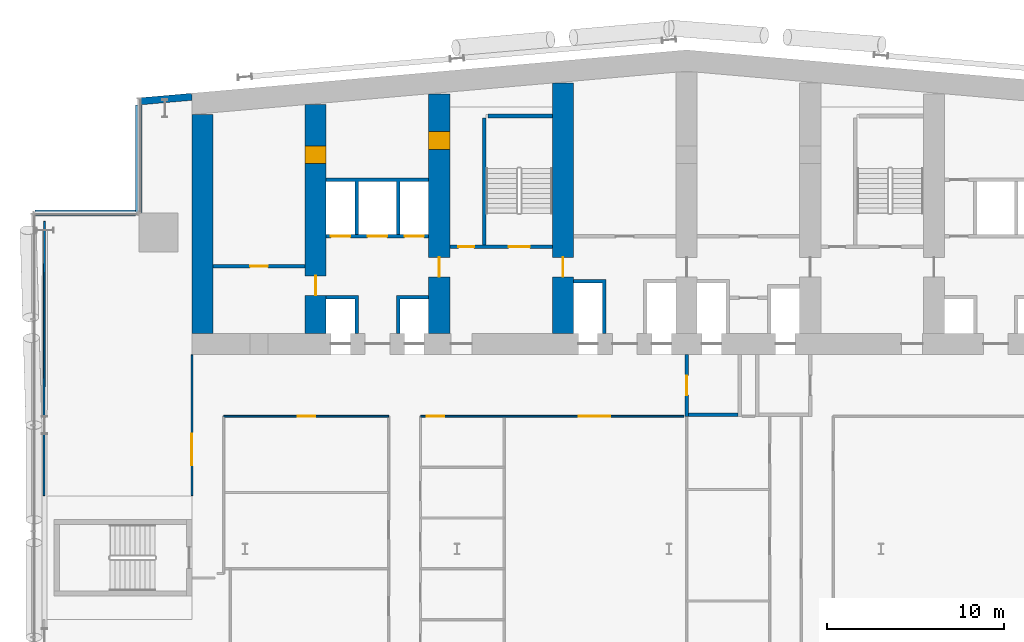
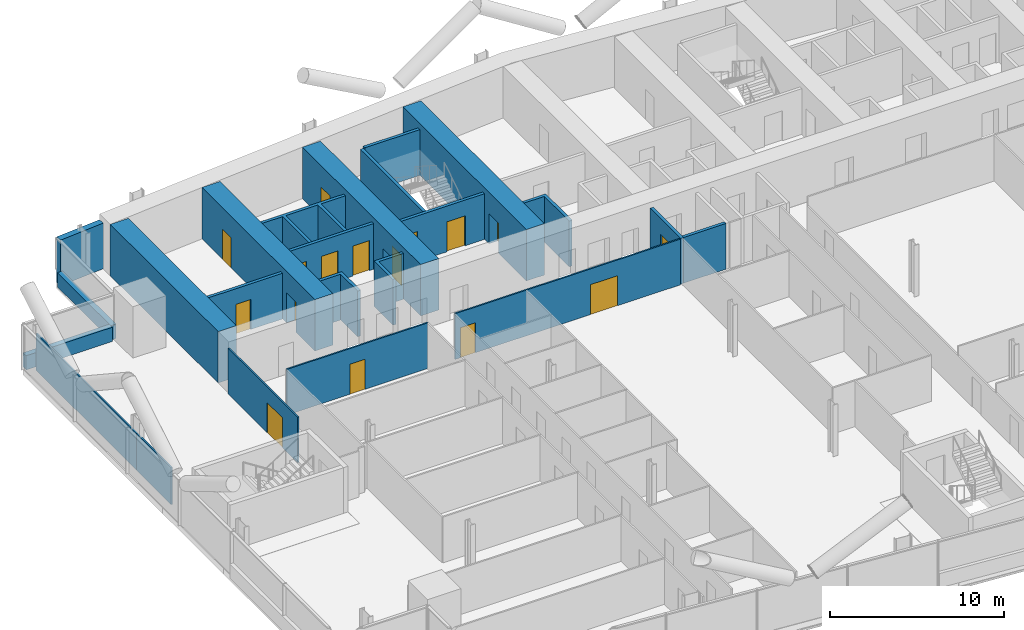
# One storey, part 15 of 27: 23 walls, 16 doors, 16 openings.
"""IFC4 building model written with IfcOpenShell, lengths in metres."""

from ifc_helpers import new_model, si_unit, direction, frame, frame_2d, origin, place, context, subcontext, project, spatial, polyline, rectangle, outline, extrude, material, layer, layer_set, type_object, element, fill, save


model = new_model("IFC4")

# Units and contexts
model_context = context("Model", 3, precision=1e-05, world=origin(), true_north=direction((0.0, 1.0)))
body_context = subcontext(model_context, "Body", "Model", "MODEL_VIEW")
ifc_project = project(units=[si_unit("LENGTHUNIT", "METRE"), si_unit("AREAUNIT", "SQUARE_METRE"), si_unit("VOLUMEUNIT", "CUBIC_METRE"), si_unit("PLANEANGLEUNIT", "RADIAN"), si_unit("MASSUNIT", "GRAM", prefix="KILO")], contexts=[model_context])

# Site, building, storey
site_placement = place(None, origin())
site = spatial("IfcSite", under=ifc_project, at=site_placement, CompositionType="ELEMENT")
building_placement = place(site_placement, origin())
building = spatial("IfcBuilding", under=site, at=building_placement, Name="Wharfspan Tower", CompositionType="ELEMENT")
storey_placement = place(building_placement, frame((0.0, 0.0, 77.5)))
storey = spatial("IfcBuildingStorey", under=building, at=storey_placement, Name="L16", CompositionType="ELEMENT", Elevation=77.5)

# Wall, opening, door
ifc_material_1 = material(Name="Gypsum board on steel studs", Category="steel")
ifc_layer_1 = layer(ifc_material_1, 0.100098)
ifc_layer_set_1 = layer_set([ifc_layer_1], Name="Gypsum board on steel studs")
wall_type_1 = type_object("IfcWallType", Name="Compartment wall 100 EI 60", PredefinedType="PARTITIONING", material=ifc_layer_set_1)
wall_1_placement = place(storey_placement, frame((9.0, 26.02002, 0.0), z_axis=(0.0, 0.0, 1.0), x_axis=(0.0, 1.0, 0.0)))
wall_1 = element("IfcWall", 1, at=wall_1_placement, inside=storey, type_object=wall_type_1, Name="Partition L16.w006", PredefinedType="PARTITIONING", context=body_context, shape_type="SweptSolid", body=[
    extrude(rectangle(XDim=7.959961, YDim=0.100098, at=frame_2d((3.97998, 0.0))), origin(), (0.0, 0.0, 1.0), 3.199951),
])
opening_1_placement = place(wall_1_placement, frame((1.699951, 0.0, 0.0)))
opening_1 = element("IfcOpeningElement", 2, at=opening_1_placement, cuts=wall_1, Name="Opening A4-28", PredefinedType="OPENING", context=body_context, shape_type="SweptSolid", body=[
    extrude(rectangle(XDim=1.800049, YDim=2.100098, at=frame_2d((0.899902, 1.050049))), frame((0.0, 0.060059, 0.0), z_axis=(0.0, -1.0, 0.0), x_axis=(1.0, 0.0, 0.0)), (0.0, 0.0, 1.0), 0.120117),
])
ifc_material_2 = material(Name="Fire-rated timber door leaf in steel frame", Category="steel")
door_type_1 = type_object("IfcDoorType", Name="Door 1800 FD30S Double", OperationType="DOUBLE_DOOR_SINGLE_SWING", PredefinedType="DOOR", material=ifc_material_2)
door_1_placement = place(opening_1_placement, origin())
door_1 = element("IfcDoor", 3, at=door_1_placement, inside=storey, type_object=door_type_1, Name="Door A4-28", OperationType="DOUBLE_DOOR_SINGLE_SWING", OverallHeight=2.100098, OverallWidth=1.800049, PredefinedType="DOOR", context=body_context, shape_type="SweptSolid", body=[
    extrude(rectangle(XDim=1.800049, YDim=2.100098, at=frame_2d((0.899902, 1.050049))), frame((0.0, 0.024902, 0.0), z_axis=(0.0, -1.0, 0.0), x_axis=(1.0, 0.0, 0.0)), (0.0, 0.0, 1.0), 0.050049),
])
fill(opening_1, door_1)

wall_2_placement = place(storey_placement, frame((10.800049, 30.5, 0.0), z_axis=(0.0, 0.0, 1.0), x_axis=(1.0, 0.0, 0.0)))
wall_2 = element("IfcWall", 4, at=wall_2_placement, inside=storey, type_object=wall_type_1, Name="Partition L16.w012", PredefinedType="PARTITIONING", context=body_context, shape_type="SweptSolid", body=[
    extrude(rectangle(XDim=9.339844, YDim=0.100098, at=frame_2d((4.669922, 0.0))), origin(), (0.0, 0.0, 1.0), 3.199951),
])
opening_2_placement = place(wall_2_placement, frame((4.185059, 0.0, 0.0)))
opening_2 = element("IfcOpeningElement", 5, at=opening_2_placement, cuts=wall_2, Name="Opening A4-30", PredefinedType="OPENING", context=body_context, shape_type="SweptSolid", body=[
    extrude(rectangle(XDim=1.0, YDim=2.100098, at=frame_2d((0.5, 1.050049))), frame((0.0, 0.060059, 0.0), z_axis=(0.0, -1.0, 0.0), x_axis=(1.0, 0.0, 0.0)), (0.0, 0.0, 1.0), 0.120117),
])
door_type_2 = type_object("IfcDoorType", Name="Door 1000 FD30S Right", OperationType="SINGLE_SWING_RIGHT", PredefinedType="DOOR", material=ifc_material_2)
door_2_placement = place(opening_2_placement, origin())
door_2 = element("IfcDoor", 6, at=door_2_placement, inside=storey, type_object=door_type_2, Name="Door A4-30", OperationType="SINGLE_SWING_RIGHT", OverallHeight=2.100098, OverallWidth=1.0, PredefinedType="DOOR", context=body_context, shape_type="SweptSolid", body=[
    extrude(rectangle(XDim=1.0, YDim=2.100098, at=frame_2d((0.5, 1.050049))), frame((0.0, 0.024902, 0.0), z_axis=(0.0, -1.0, 0.0), x_axis=(1.0, 0.0, 0.0)), (0.0, 0.0, 1.0), 0.050049),
])
fill(opening_2, door_2)

# Wall, openings, doors
wall_3_placement = place(storey_placement, frame((21.939941, 30.5, 0.0), z_axis=(0.0, 0.0, 1.0), x_axis=(1.0, 0.0, 0.0)))
wall_3 = element("IfcWall", 7, at=wall_3_placement, inside=storey, type_object=wall_type_1, Name="Partition L16.w026", PredefinedType="PARTITIONING", context=body_context, shape_type="SweptSolid", body=[
    extrude(rectangle(XDim=14.910156, YDim=0.100098, at=frame_2d((7.455078, 0.0))), origin(), (0.0, 0.0, 1.0), 3.199951),
])
opening_3_placement = place(wall_3_placement, frame((0.344971, 0.0, 0.0)))
opening_3 = element("IfcOpeningElement", 8, at=opening_3_placement, cuts=wall_3, Name="Opening A4-31", PredefinedType="OPENING", context=body_context, shape_type="SweptSolid", body=[
    extrude(rectangle(XDim=1.0, YDim=2.100098, at=frame_2d((0.5, 1.050049))), frame((0.0, 0.060059, 0.0), z_axis=(0.0, -1.0, 0.0), x_axis=(1.0, 0.0, 0.0)), (0.0, 0.0, 1.0), 0.120117),
])
opening_4_placement = place(wall_3_placement, frame((8.949951, 0.0, 0.0)))
opening_4 = element("IfcOpeningElement", 9, at=opening_4_placement, cuts=wall_3, Name="Opening A4-32", PredefinedType="OPENING", context=body_context, shape_type="SweptSolid", body=[
    extrude(rectangle(XDim=1.800049, YDim=2.100098, at=frame_2d((0.899902, 1.050049))), frame((0.0, 0.060059, 0.0), z_axis=(0.0, -1.0, 0.0), x_axis=(1.0, 0.0, 0.0)), (0.0, 0.0, 1.0), 0.120117),
])
door_type_3 = type_object("IfcDoorType", Name="Door 1000 FD30S Left", OperationType="SINGLE_SWING_LEFT", PredefinedType="DOOR", material=ifc_material_2)
door_3_placement = place(opening_3_placement, origin())
door_3 = element("IfcDoor", 10, at=door_3_placement, inside=storey, type_object=door_type_3, Name="Door A4-31", OperationType="SINGLE_SWING_LEFT", OverallHeight=2.100098, OverallWidth=1.0, PredefinedType="DOOR", context=body_context, shape_type="SweptSolid", body=[
    extrude(rectangle(XDim=1.0, YDim=2.100098, at=frame_2d((0.5, 1.050049))), frame((0.0, 0.024902, 0.0), z_axis=(0.0, -1.0, 0.0), x_axis=(1.0, 0.0, 0.0)), (0.0, 0.0, 1.0), 0.050049),
])
fill(opening_3, door_3)
door_4_placement = place(opening_4_placement, origin())
door_4 = element("IfcDoor", 11, at=door_4_placement, inside=storey, type_object=door_type_1, Name="Door A4-32", OperationType="DOUBLE_DOOR_SINGLE_SWING", OverallHeight=2.100098, OverallWidth=1.800049, PredefinedType="DOOR", context=body_context, shape_type="SweptSolid", body=[
    extrude(rectangle(XDim=1.800049, YDim=2.100098, at=frame_2d((0.899902, 1.050049))), frame((0.0, 0.024902, 0.0), z_axis=(0.0, -1.0, 0.0), x_axis=(1.0, 0.0, 0.0)), (0.0, 0.0, 1.0), 0.050049),
])
fill(opening_4, door_4)

# Wall, opening, door
ifc_material_3 = material(Name="Calcium silicate masonry", Category="masonry")
ifc_layer_2 = layer(ifc_material_3, 0.199951)
ifc_layer_set_2 = layer_set([ifc_layer_2], Name="Calcium silicate masonry")
wall_type_2 = type_object("IfcWallType", Name="Core room wall 200", PredefinedType="PARTITIONING", material=ifc_layer_set_2)
wall_4_placement = place(storey_placement, frame((10.199951, 39.0, 0.0), z_axis=(0.0, 0.0, 1.0), x_axis=(1.0, 0.0, 0.0)))
wall_4 = element("IfcWall", 12, at=wall_4_placement, inside=storey, type_object=wall_type_2, Name="sw:L16:RM0", PredefinedType="PARTITIONING", context=body_context, shape_type="SweptSolid", body=[
    extrude(rectangle(XDim=5.199951, YDim=0.199951, at=frame_2d((2.600098, 0.0))), origin(), (0.0, 0.0, 1.0), 3.199951),
])
opening_5_placement = place(wall_4_placement, frame((2.100098, 0.0, 0.0)))
opening_5 = element("IfcOpeningElement", 13, at=opening_5_placement, cuts=wall_4, Name="Opening CD16.02", PredefinedType="OPENING", context=body_context, shape_type="SweptSolid", body=[
    extrude(rectangle(XDim=1.0, YDim=2.100098, at=frame_2d((0.5, 1.050049))), frame((0.0, 0.109863, 0.0), z_axis=(0.0, -1.0, 0.0), x_axis=(1.0, 0.0, 0.0)), (0.0, 0.0, 1.0), 0.219971),
])
ifc_material_4 = material(Name="Steel door leaf", Category="steel")
door_type_4 = type_object("IfcDoorType", Name="Core room door 1000x2100", OperationType="SINGLE_SWING_LEFT", PredefinedType="DOOR", material=ifc_material_4)
door_5_placement = place(opening_5_placement, origin())
door_5 = element("IfcDoor", 14, at=door_5_placement, inside=storey, type_object=door_type_4, Name="d:L16:0:rr", OperationType="SINGLE_SWING_RIGHT", OverallHeight=2.100098, OverallWidth=1.0, PredefinedType="DOOR", context=body_context, shape_type="SweptSolid", body=[
    extrude(rectangle(XDim=1.0, YDim=2.100098, at=frame_2d((0.5, 1.050049))), frame((0.0, 0.024902, 0.0), z_axis=(0.0, -1.0, 0.0), x_axis=(1.0, 0.0, 0.0)), (0.0, 0.0, 1.0), 0.050049),
])
fill(opening_5, door_5)

# Wall
ifc_material_5 = material(Name="Concrete C70/85", Category="concrete")
ifc_layer_3 = layer(ifc_material_5, 1.199951)
ifc_layer_set_3 = layer_set([ifc_layer_3], Name="Concrete C70/85")
wall_type_3 = type_object("IfcWallType", Name="Core wall 1200 C70/85", PredefinedType="SHEAR", material=ifc_layer_set_3)
wall_5_placement = place(storey_placement, frame((9.600098, 35.199951, 0.0), z_axis=(0.0, 0.0, 1.0), x_axis=(0.0, 1.0, 0.0)))
element("IfcWall", 15, at=wall_5_placement, inside=storey, type_object=wall_type_3, Name="Core cross wall EW0 L16", PredefinedType="SHEAR", context=body_context, shape_type="SweptSolid", body=[
    extrude(rectangle(XDim=12.382812, YDim=1.199951, at=frame_2d((6.191406, 0.0))), origin(), (0.0, 0.0, 1.0), 3.600098),
])

# Wall, openings, doors
wall_6_placement = place(storey_placement, frame((16.0, 35.199951, 0.0), z_axis=(0.0, 0.0, 1.0), x_axis=(0.0, 1.0, 0.0)))
wall_6 = element("IfcWall", 16, at=wall_6_placement, inside=storey, type_object=wall_type_3, Name="Core cross wall X1 L16", PredefinedType="SHEAR", context=body_context, shape_type="SweptSolid", body=[
    extrude(rectangle(XDim=12.942871, YDim=1.199951, at=frame_2d((6.471436, 0.0))), origin(), (0.0, 0.0, 1.0), 3.600098),
])
opening_6_placement = place(wall_6_placement, frame((2.149902, 0.0, 0.0)))
opening_6 = element("IfcOpeningElement", 17, at=opening_6_placement, cuts=wall_6, Name="Opening CC16.1", PredefinedType="OPENING", context=body_context, shape_type="SweptSolid", body=[
    extrude(rectangle(XDim=1.100098, YDim=2.100098, at=frame_2d((0.550049, 1.050049))), frame((0.0, 0.609863, 0.0), z_axis=(0.0, -1.0, 0.0), x_axis=(1.0, 0.0, 0.0)), (0.0, 0.0, 1.0), 1.219971),
])
opening_7_placement = place(wall_6_placement, frame((9.600098, 0.0, 0.0)))
opening_7 = element("IfcOpeningElement", 18, at=opening_7_placement, cuts=wall_6, Name="Opening CR16.1", PredefinedType="OPENING", context=body_context, shape_type="SweptSolid", body=[
    extrude(rectangle(XDim=1.0, YDim=2.100098, at=frame_2d((0.5, 1.050049))), frame((0.0, 0.609863, 0.0), z_axis=(0.0, -1.0, 0.0), x_axis=(1.0, 0.0, 0.0)), (0.0, 0.0, 1.0), 1.219971),
])
door_type_5 = type_object("IfcDoorType", Name="Core corridor door 1100x2100", OperationType="SINGLE_SWING_LEFT", PredefinedType="DOOR", material=ifc_material_4)
door_6_placement = place(opening_6_placement, origin())
door_6 = element("IfcDoor", 19, at=door_6_placement, inside=storey, type_object=door_type_5, Name="xd:L16:1", OperationType="SINGLE_SWING_LEFT", OverallHeight=2.100098, OverallWidth=1.100098, PredefinedType="DOOR", context=body_context, shape_type="SweptSolid", body=[
    extrude(rectangle(XDim=1.100098, YDim=2.100098, at=frame_2d((0.550049, 1.050049))), frame((0.0, 0.024902, 0.0), z_axis=(0.0, -1.0, 0.0), x_axis=(1.0, 0.0, 0.0)), (0.0, 0.0, 1.0), 0.050049),
])
fill(opening_6, door_6)
door_7_placement = place(opening_7_placement, origin())
door_7 = element("IfcDoor", 20, at=door_7_placement, inside=storey, type_object=door_type_4, Name="xr:L16:1", OperationType="SINGLE_SWING_RIGHT", OverallHeight=2.100098, OverallWidth=1.0, PredefinedType="DOOR", context=body_context, shape_type="SweptSolid", body=[
    extrude(rectangle(XDim=1.0, YDim=2.100098, at=frame_2d((0.5, 1.050049))), frame((0.0, 0.599609, 0.0), z_axis=(0.0, -1.0, 0.0), x_axis=(1.0, 0.0, 0.0)), (0.0, 0.0, 1.0), 1.199463),
])
fill(opening_7, door_7)

wall_7_placement = place(storey_placement, frame((23.0, 35.199951, 0.0), z_axis=(0.0, 0.0, 1.0), x_axis=(0.0, 1.0, 0.0)))
wall_7 = element("IfcWall", 21, at=wall_7_placement, inside=storey, type_object=wall_type_3, Name="Core cross wall X2 L16", PredefinedType="SHEAR", context=body_context, shape_type="SweptSolid", body=[
    extrude(rectangle(XDim=13.555176, YDim=1.199951, at=frame_2d((6.777588, 0.0))), origin(), (0.0, 0.0, 1.0), 3.600098),
])
opening_8_placement = place(wall_7_placement, frame((10.413818, 0.0, 0.0)))
opening_8 = element("IfcOpeningElement", 22, at=opening_8_placement, cuts=wall_7, Name="Opening CD16.1X", PredefinedType="OPENING", context=body_context, shape_type="SweptSolid", body=[
    extrude(rectangle(XDim=1.0, YDim=2.100098, at=frame_2d((0.5, 1.050049))), frame((0.0, 0.609863, 0.0), z_axis=(0.0, -1.0, 0.0), x_axis=(1.0, 0.0, 0.0)), (0.0, 0.0, 1.0), 1.219971),
])
opening_9_placement = place(wall_7_placement, frame((3.199951, 0.0, 0.0)))
opening_9 = element("IfcOpeningElement", 23, at=opening_9_placement, cuts=wall_7, Name="Opening CC16.2", PredefinedType="OPENING", context=body_context, shape_type="SweptSolid", body=[
    extrude(rectangle(XDim=1.100098, YDim=2.100098, at=frame_2d((0.550049, 1.050049))), frame((0.0, 0.609863, 0.0), z_axis=(0.0, -1.0, 0.0), x_axis=(1.0, 0.0, 0.0)), (0.0, 0.0, 1.0), 1.219971),
])
door_8_placement = place(opening_9_placement, origin())
door_8 = element("IfcDoor", 24, at=door_8_placement, inside=storey, type_object=door_type_5, Name="xd:L16:2", OperationType="SINGLE_SWING_RIGHT", OverallHeight=2.100098, OverallWidth=1.100098, PredefinedType="DOOR", context=body_context, shape_type="SweptSolid", body=[
    extrude(rectangle(XDim=1.100098, YDim=2.100098, at=frame_2d((0.550049, 1.050049))), frame((0.0, 0.024902, 0.0), z_axis=(0.0, -1.0, 0.0), x_axis=(1.0, 0.0, 0.0)), (0.0, 0.0, 1.0), 0.050049),
])
fill(opening_9, door_8)
door_9_placement = place(opening_8_placement, origin())
door_9 = element("IfcDoor", 25, at=door_9_placement, inside=storey, type_object=door_type_4, Name="d:L16:1:sx", OperationType="SINGLE_SWING_LEFT", OverallHeight=2.100098, OverallWidth=1.0, PredefinedType="DOOR", context=body_context, shape_type="SweptSolid", body=[
    extrude(rectangle(XDim=1.0, YDim=2.100098, at=frame_2d((0.5, 1.050049))), frame((0.0, 0.599609, 0.0), z_axis=(0.0, -1.0, 0.0), x_axis=(1.0, 0.0, 0.0)), (0.0, 0.0, 1.0), 1.199463),
])
fill(opening_8, door_9)

# Wall, opening, door
wall_8_placement = place(storey_placement, frame((30.0, 35.199951, 0.0), z_axis=(0.0, 0.0, 1.0), x_axis=(0.0, 1.0, 0.0)))
wall_8 = element("IfcWall", 26, at=wall_8_placement, inside=storey, type_object=wall_type_3, Name="Core cross wall X3 L16", PredefinedType="SHEAR", context=body_context, shape_type="SweptSolid", body=[
    extrude(rectangle(XDim=14.167725, YDim=1.199951, at=frame_2d((7.083984, 0.0))), origin(), (0.0, 0.0, 1.0), 3.600098),
])
opening_10_placement = place(wall_8_placement, frame((3.199951, 0.0, 0.0)))
opening_10 = element("IfcOpeningElement", 27, at=opening_10_placement, cuts=wall_8, Name="Opening CC16.3", PredefinedType="OPENING", context=body_context, shape_type="SweptSolid", body=[
    extrude(rectangle(XDim=1.100098, YDim=2.100098, at=frame_2d((0.550049, 1.050049))), frame((0.0, 0.609863, 0.0), z_axis=(0.0, -1.0, 0.0), x_axis=(1.0, 0.0, 0.0)), (0.0, 0.0, 1.0), 1.219971),
])
door_10_placement = place(opening_10_placement, origin())
door_10 = element("IfcDoor", 28, at=door_10_placement, inside=storey, type_object=door_type_5, Name="xd:L16:3", OperationType="SINGLE_SWING_LEFT", OverallHeight=2.100098, OverallWidth=1.100098, PredefinedType="DOOR", context=body_context, shape_type="SweptSolid", body=[
    extrude(rectangle(XDim=1.100098, YDim=2.100098, at=frame_2d((0.550049, 1.050049))), frame((0.0, 0.024902, 0.0), z_axis=(0.0, -1.0, 0.0), x_axis=(1.0, 0.0, 0.0)), (0.0, 0.0, 1.0), 0.050049),
])
fill(opening_10, door_10)

# Wall, openings, doors
ifc_material_6 = material(Name="Concrete C30/37", Category="concrete")
ifc_layer_4 = layer(ifc_material_6, 0.199951)
ifc_layer_set_4 = layer_set([ifc_layer_4], Name="Concrete C30/37")
wall_type_4 = type_object("IfcWallType", Name="Lift shaft wall 200", PredefinedType="PARTITIONING", material=ifc_layer_set_4)
wall_9_placement = place(storey_placement, frame((16.600098, 40.699951, 0.0), z_axis=(0.0, 0.0, 1.0), x_axis=(1.0, 0.0, 0.0)))
wall_9 = element("IfcWall", 29, at=wall_9_placement, inside=storey, type_object=wall_type_4, Name="sw:L16:RF1", PredefinedType="PARTITIONING", context=body_context, shape_type="SweptSolid", body=[
    extrude(rectangle(XDim=5.799805, YDim=0.199951, at=frame_2d((2.899902, 0.0))), origin(), (0.0, 0.0, 1.0), 3.199951),
])
opening_11_placement = place(wall_9_placement, frame((0.266602, 0.0, 0.0)))
opening_11 = element("IfcOpeningElement", 30, at=opening_11_placement, cuts=wall_9, Name="Opening LD.LA3.L16", PredefinedType="OPENING", context=body_context, shape_type="SweptSolid", body=[
    extrude(rectangle(XDim=1.100098, YDim=2.100098, at=frame_2d((0.550049, 1.050049))), frame((0.0, 0.109863, 0.0), z_axis=(0.0, -1.0, 0.0), x_axis=(1.0, 0.0, 0.0)), (0.0, 0.0, 1.0), 0.219971),
])
opening_12_placement = place(wall_9_placement, frame((2.350098, 0.0, 0.0)))
opening_12 = element("IfcOpeningElement", 31, at=opening_12_placement, cuts=wall_9, Name="Opening LD.LA4.L16", PredefinedType="OPENING", context=body_context, shape_type="SweptSolid", body=[
    extrude(rectangle(XDim=1.100098, YDim=2.100098, at=frame_2d((0.550049, 1.050049))), frame((0.0, 0.109863, 0.0), z_axis=(0.0, -1.0, 0.0), x_axis=(1.0, 0.0, 0.0)), (0.0, 0.0, 1.0), 0.219971),
])
opening_13_placement = place(wall_9_placement, frame((4.43335, 0.0, 0.0)))
opening_13 = element("IfcOpeningElement", 32, at=opening_13_placement, cuts=wall_9, Name="Opening LD.LA5.L16", PredefinedType="OPENING", context=body_context, shape_type="SweptSolid", body=[
    extrude(rectangle(XDim=1.100098, YDim=2.100098, at=frame_2d((0.550049, 1.050049))), frame((0.0, 0.109863, 0.0), z_axis=(0.0, -1.0, 0.0), x_axis=(1.0, 0.0, 0.0)), (0.0, 0.0, 1.0), 0.219971),
])
ifc_material_7 = material(Name="Stainless steel", Category="steel")
door_type_6 = type_object("IfcDoorType", Name="Lift landing door 1100x2100", OperationType="DOUBLE_DOOR_SLIDING", PredefinedType="DOOR", material=ifc_material_7)
door_11_placement = place(opening_11_placement, origin())
door_11 = element("IfcDoor", 33, at=door_11_placement, inside=storey, type_object=door_type_6, Name="Landing door LA3 L16", OperationType="DOUBLE_DOOR_SLIDING", OverallHeight=2.100098, OverallWidth=1.100098, PredefinedType="DOOR", context=body_context, shape_type="SweptSolid", body=[
    extrude(rectangle(XDim=1.100098, YDim=2.100098, at=frame_2d((0.550049, 1.050049))), frame((0.0, 0.024902, 0.0), z_axis=(0.0, -1.0, 0.0), x_axis=(1.0, 0.0, 0.0)), (0.0, 0.0, 1.0), 0.050049),
])
fill(opening_11, door_11)
door_12_placement = place(opening_12_placement, origin())
door_12 = element("IfcDoor", 34, at=door_12_placement, inside=storey, type_object=door_type_6, Name="Landing door LA4 L16", OperationType="DOUBLE_DOOR_SLIDING", OverallHeight=2.100098, OverallWidth=1.100098, PredefinedType="DOOR", context=body_context, shape_type="SweptSolid", body=[
    extrude(rectangle(XDim=1.100098, YDim=2.100098, at=frame_2d((0.550049, 1.050049))), frame((0.0, 0.024902, 0.0), z_axis=(0.0, -1.0, 0.0), x_axis=(1.0, 0.0, 0.0)), (0.0, 0.0, 1.0), 0.050049),
])
fill(opening_12, door_12)
door_13_placement = place(opening_13_placement, origin())
door_13 = element("IfcDoor", 35, at=door_13_placement, inside=storey, type_object=door_type_6, Name="Landing door LA5 L16", OperationType="DOUBLE_DOOR_SLIDING", OverallHeight=2.100098, OverallWidth=1.100098, PredefinedType="DOOR", context=body_context, shape_type="SweptSolid", body=[
    extrude(rectangle(XDim=1.100098, YDim=2.100098, at=frame_2d((0.550049, 1.050049))), frame((0.0, 0.024902, 0.0), z_axis=(0.0, -1.0, 0.0), x_axis=(1.0, 0.0, 0.0)), (0.0, 0.0, 1.0), 0.050049),
])
fill(opening_13, door_13)

# Walls
wall_10_placement = place(storey_placement, frame((0.0, 0.0, -0.000244)))
element("IfcWall", 36, at=wall_10_placement, inside=storey, type_object=wall_type_4, Name="sw:L16:FM1.0", PredefinedType="PARTITIONING", context=body_context, shape_type="SweptSolid", body=[
    extrude(outline(polyline([(18.233398, 37.149902), (16.600098, 37.149902), (16.600098, 37.350098), (18.233398, 37.350098), (18.43335, 37.350098), (18.43335, 35.199951), (18.233398, 35.199951), (18.233398, 37.149902)])), origin(), (0.0, 0.0, 1.0), 3.200195),
])
wall_11_placement = place(storey_placement, frame((0.0, 0.0, -0.000244)))
element("IfcWall", 37, at=wall_11_placement, inside=storey, type_object=wall_type_4, Name="sw:L16:FM1.1", PredefinedType="PARTITIONING", context=body_context, shape_type="SweptSolid", body=[
    extrude(outline(polyline([(20.56665, 37.350098), (20.766602, 37.350098), (22.399902, 37.350098), (22.399902, 37.149902), (20.766602, 37.149902), (20.766602, 35.199951), (20.56665, 35.199951), (20.56665, 37.350098)])), origin(), (0.0, 0.0, 1.0), 3.200195),
])
wall_12_placement = place(storey_placement, frame((0.0, 0.0, -0.000244)))
element("IfcWall", 38, at=wall_12_placement, inside=storey, type_object=wall_type_4, Name="sw:L16:RM1.0", PredefinedType="PARTITIONING", context=body_context, shape_type="SweptSolid", body=[
    extrude(outline(polyline([(18.43335, 40.800049), (18.233398, 40.800049), (18.233398, 43.800049), (16.600098, 43.800049), (16.600098, 44.0), (22.399902, 44.0), (22.399902, 43.800049), (20.766602, 43.800049), (20.766602, 40.800049), (20.56665, 40.800049), (20.56665, 43.800049), (18.43335, 43.800049), (18.43335, 40.800049)])), origin(), (0.0, 0.0, 1.0), 3.200195),
])
wall_13_placement = place(storey_placement, frame((0.0, 0.0, -0.000244)))
element("IfcWall", 39, at=wall_13_placement, inside=storey, type_object=wall_type_4, Name="sw:L16:FM3.0", PredefinedType="PARTITIONING", context=body_context, shape_type="SweptSolid", body=[
    extrude(outline(polyline([(32.233398, 38.050049), (30.600098, 38.050049), (30.600098, 38.25), (32.233398, 38.25), (32.43335, 38.25), (32.43335, 35.199951), (32.233398, 35.199951), (32.233398, 38.050049)])), origin(), (0.0, 0.0, 1.0), 3.200195),
])

# Wall, opening, door
ifc_layer_5 = layer(ifc_material_6, 0.199951)
ifc_layer_set_5 = layer_set([ifc_layer_5], Name="Concrete C30/37")
wall_type_5 = type_object("IfcWallType", Name="Lobby wall 200", PredefinedType="PARTITIONING", material=ifc_layer_set_5)
wall_14_placement = place(storey_placement, frame((37.0, 30.5, 0.0), z_axis=(0.0, 0.0, 1.0), x_axis=(0.0, 1.0, 0.0)))
wall_14 = element("IfcWall", 40, at=wall_14_placement, inside=storey, type_object=wall_type_5, Name="sw:L16:FLFF1W", PredefinedType="PARTITIONING", context=body_context, shape_type="SweptSolid", body=[
    extrude(rectangle(XDim=3.5, YDim=0.199951, at=frame_2d((1.75, 0.0))), origin(), (0.0, 0.0, 1.0), 3.199951),
])
opening_14_placement = place(wall_14_placement, frame((1.199951, 0.0, 0.0)))
opening_14 = element("IfcOpeningElement", 41, at=opening_14_placement, cuts=wall_14, Name="Opening FL.FF1.L16", PredefinedType="OPENING", context=body_context, shape_type="SweptSolid", body=[
    extrude(rectangle(XDim=1.100098, YDim=2.100098, at=frame_2d((0.550049, 1.050049))), frame((0.0, 0.109863, 0.0), z_axis=(0.0, -1.0, 0.0), x_axis=(1.0, 0.0, 0.0)), (0.0, 0.0, 1.0), 0.219971),
])
door_type_7 = type_object("IfcDoorType", Name="Firefighting lobby door 1100x2100", OperationType="SINGLE_SWING_LEFT", PredefinedType="DOOR", material=ifc_material_4)
door_14_placement = place(opening_14_placement, origin())
door_14 = element("IfcDoor", 42, at=door_14_placement, inside=storey, type_object=door_type_7, Name="fd:L16:FF1", OperationType="SINGLE_SWING_LEFT", OverallHeight=2.100098, OverallWidth=1.100098, PredefinedType="DOOR", context=body_context, shape_type="SweptSolid", body=[
    extrude(rectangle(XDim=1.100098, YDim=2.100098, at=frame_2d((0.550049, 1.050049))), frame((0.0, 0.024902, 0.0), z_axis=(0.0, -1.0, 0.0), x_axis=(1.0, 0.0, 0.0)), (0.0, 0.0, 1.0), 0.050049),
])
fill(opening_14, door_14)

# Walls
wall_15_placement = place(storey_placement, frame((37.100098, 30.600098, 0.0), z_axis=(0.0, 0.0, 1.0), x_axis=(1.0, 0.0, 0.0)))
element("IfcWall", 43, at=wall_15_placement, inside=storey, type_object=wall_type_5, Name="sw:L16:FLFF1F", PredefinedType="PARTITIONING", context=body_context, shape_type="SweptSolid", body=[
    extrude(rectangle(XDim=2.799805, YDim=0.199951, at=frame_2d((1.399902, 0.0))), origin(), (0.0, 0.0, 1.0), 3.199951),
])
ifc_layer_6 = layer(ifc_material_1, 0.100098)
ifc_layer_set_6 = layer_set([ifc_layer_6], Name="Gypsum board on steel studs")
wall_type_6 = type_object("IfcWallType", Name="Partition 100", PredefinedType="PARTITIONING", material=ifc_layer_set_6)
wall_16_placement = place(storey_placement, frame((0.629883, 26.02002, 0.0), z_axis=(0.0, 0.0, 1.0), x_axis=(0.0, 1.0, 0.0)))
element("IfcWall", 44, at=wall_16_placement, inside=storey, type_object=wall_type_6, Name="Partition L16.w002", PredefinedType="PARTITIONING", context=body_context, shape_type="SweptSolid", body=[
    extrude(rectangle(XDim=3.97998, YDim=0.100098, at=frame_2d((1.98999, 0.0))), origin(), (0.0, 0.0, 1.0), 2.580078),
])
wall_17_placement = place(storey_placement, frame((0.629883, 30.0, 0.0), z_axis=(0.0, 0.0, 1.0), x_axis=(0.00218, 0.999994, 0.0)))
element("IfcWall", 45, at=wall_17_placement, inside=storey, type_object=wall_type_6, Name="Partition L16.w003", PredefinedType="PARTITIONING", context=body_context, shape_type="SweptSolid", body=[
    extrude(rectangle(XDim=11.534912, YDim=0.100098, at=frame_2d((5.767578, 0.0))), origin(), (0.0, 0.0, 1.0), 2.580078),
])
ifc_material_8 = material(Name="Concrete C40/50", Category="concrete")
ifc_layer_7 = layer(ifc_material_8, 0.350098)
ifc_layer_set_7 = layer_set([ifc_layer_7], Name="Concrete C40/50")
wall_type_7 = type_object("IfcWallType", Name="SPANDREL EXPOSED CONCRETE 350", PredefinedType="SOLIDWALL", material=ifc_layer_set_7)
wall_18_placement = place(storey_placement, frame((5.995117, 48.126465, 0.0), z_axis=(0.0, 0.0, 1.0), x_axis=(0.0, -1.0, 0.0)))
element("IfcWall", 46, at=wall_18_placement, inside=storey, type_object=wall_type_7, Name="Spandrel upstand L16 NRW-V", PredefinedType="SOLIDWALL", context=body_context, shape_type="SweptSolid", body=[
    extrude(rectangle(XDim=6.126465, YDim=0.350098, at=frame_2d((3.063232, 0.0))), origin(), (0.0, 0.0, 1.0), 1.0),
])
wall_19_placement = place(storey_placement, frame((5.820068, 42.004883, 0.0), z_axis=(0.0, 0.0, 1.0), x_axis=(-1.0, 0.0, 0.0)))
element("IfcWall", 47, at=wall_19_placement, inside=storey, type_object=wall_type_7, Name="Spandrel upstand L16 NRW-H", PredefinedType="SOLIDWALL", context=body_context, shape_type="SweptSolid", body=[
    extrude(rectangle(XDim=5.699951, YDim=0.350098, at=frame_2d((2.850098, 0.0))), origin(), (0.0, 0.0, 1.0), 1.0),
])

# Wall, openings, doors
ifc_layer_8 = layer(ifc_material_8, 0.199951)
ifc_layer_set_8 = layer_set([ifc_layer_8], Name="Concrete C40/50")
wall_type_8 = type_object("IfcWallType", Name="Stair shaft wall 200", PredefinedType="SHEAR", material=ifc_layer_set_8)
wall_20_placement = place(storey_placement, frame((23.600098, 40.100098, 0.0), z_axis=(0.0, 0.0, 1.0), x_axis=(1.0, 0.0, 0.0)))
wall_20 = element("IfcWall", 48, at=wall_20_placement, inside=storey, type_object=wall_type_8, Name="ST1 stair enclosure wall L16", PredefinedType="SHEAR", context=body_context, shape_type="SweptSolid", body=[
    extrude(rectangle(XDim=5.799805, YDim=0.199951, at=frame_2d((2.899902, 0.0))), origin(), (0.0, 0.0, 1.0), 3.199951),
])
opening_15_placement = place(wall_20_placement, frame((3.324951, 0.0, 0.0)))
opening_15 = element("IfcOpeningElement", 49, at=opening_15_placement, cuts=wall_20, Name="Opening SD2.L16", PredefinedType="OPENING", context=body_context, shape_type="SweptSolid", body=[
    extrude(rectangle(XDim=1.199951, YDim=2.100098, at=frame_2d((0.600098, 1.050049))), frame((0.0, 0.109863, 0.0), z_axis=(0.0, -1.0, 0.0), x_axis=(1.0, 0.0, 0.0)), (0.0, 0.0, 1.0), 0.219971),
])
opening_16_placement = place(wall_20_placement, frame((0.475098, 0.0, 0.0)))
opening_16 = element("IfcOpeningElement", 50, at=opening_16_placement, cuts=wall_20, Name="Opening CD16.2R", PredefinedType="OPENING", context=body_context, shape_type="SweptSolid", body=[
    extrude(rectangle(XDim=0.899902, YDim=2.100098, at=frame_2d((0.449951, 1.050049))), frame((0.0, 0.109863, 0.0), z_axis=(0.0, -1.0, 0.0), x_axis=(1.0, 0.0, 0.0)), (0.0, 0.0, 1.0), 0.219971),
])
door_15_placement = place(opening_16_placement, origin())
door_15 = element("IfcDoor", 51, at=door_15_placement, inside=storey, type_object=door_type_4, Name="rk:L16:2", OperationType="SINGLE_SWING_LEFT", OverallHeight=2.100098, OverallWidth=0.899902, PredefinedType="DOOR", context=body_context, shape_type="SweptSolid", body=[
    extrude(rectangle(XDim=0.899902, YDim=2.100098, at=frame_2d((0.449951, 1.050049))), frame((0.0, 0.024902, 0.0), z_axis=(0.0, -1.0, 0.0), x_axis=(1.0, 0.0, 0.0)), (0.0, 0.0, 1.0), 0.050049),
])
fill(opening_16, door_15)
door_type_8 = type_object("IfcDoorType", Name="Stair door 1200x2100", OperationType="SINGLE_SWING_LEFT", PredefinedType="DOOR", material=ifc_material_4)
door_16_placement = place(opening_15_placement, origin())
door_16 = element("IfcDoor", 52, at=door_16_placement, inside=storey, type_object=door_type_8, Name="sd:L16:2", OperationType="SINGLE_SWING_RIGHT", OverallHeight=2.100098, OverallWidth=1.199951, PredefinedType="DOOR", context=body_context, shape_type="SweptSolid", body=[
    extrude(rectangle(XDim=1.199951, YDim=2.100098, at=frame_2d((0.600098, 1.050049))), frame((0.0, 0.024902, 0.0), z_axis=(0.0, -1.0, 0.0), x_axis=(1.0, 0.0, 0.0)), (0.0, 0.0, 1.0), 0.050049),
])
fill(opening_15, door_16)

# Walls
wall_21_placement = place(storey_placement, frame((25.550049, 40.199951, 0.0), z_axis=(0.0, 0.0, 1.0), x_axis=(0.0, 1.0, 0.0)))
element("IfcWall", 53, at=wall_21_placement, inside=storey, type_object=wall_type_8, Name="ST1 stair enclosure wall L16", PredefinedType="SHEAR", context=body_context, shape_type="SweptSolid", body=[
    extrude(rectangle(XDim=7.199951, YDim=0.199951, at=frame_2d((3.600098, 0.0))), origin(), (0.0, 0.0, 1.0), 3.199951),
])
wall_22_placement = place(storey_placement, frame((25.75, 47.5, 0.0), z_axis=(0.0, 0.0, 1.0), x_axis=(1.0, 0.0, 0.0)))
element("IfcWall", 54, at=wall_22_placement, inside=storey, type_object=wall_type_8, Name="ST1 stair enclosure wall L16", PredefinedType="SHEAR", context=body_context, shape_type="SweptSolid", body=[
    extrude(rectangle(XDim=3.649902, YDim=0.199951, at=frame_2d((1.824951, 0.0))), origin(), (0.0, 0.0, 1.0), 3.199951),
])
ifc_layer_9 = layer(ifc_material_8, 0.399902)
ifc_layer_set_9 = layer_set([ifc_layer_9], Name="Concrete C40/50")
wall_type_9 = type_object("IfcWallType", Name="WALL EXPOSED CONCRETE 400", PredefinedType="SOLIDWALL", material=ifc_layer_set_9)
wall_23_placement = place(storey_placement, frame((9.0, 48.58667, 0.0), z_axis=(0.0, 0.0, 1.0), x_axis=(-0.996194, -0.087168, 0.0)))
element("IfcWall", 55, at=wall_23_placement, inside=storey, type_object=wall_type_9, Name="Rear wall N1", PredefinedType="SOLIDWALL", context=body_context, shape_type="SweptSolid", body=[
    extrude(rectangle(XDim=2.994141, YDim=0.399902, at=frame_2d((1.49707, 0.0))), origin(), (0.0, 0.0, 1.0), 3.199951),
])

save(model, "model.ifc")
